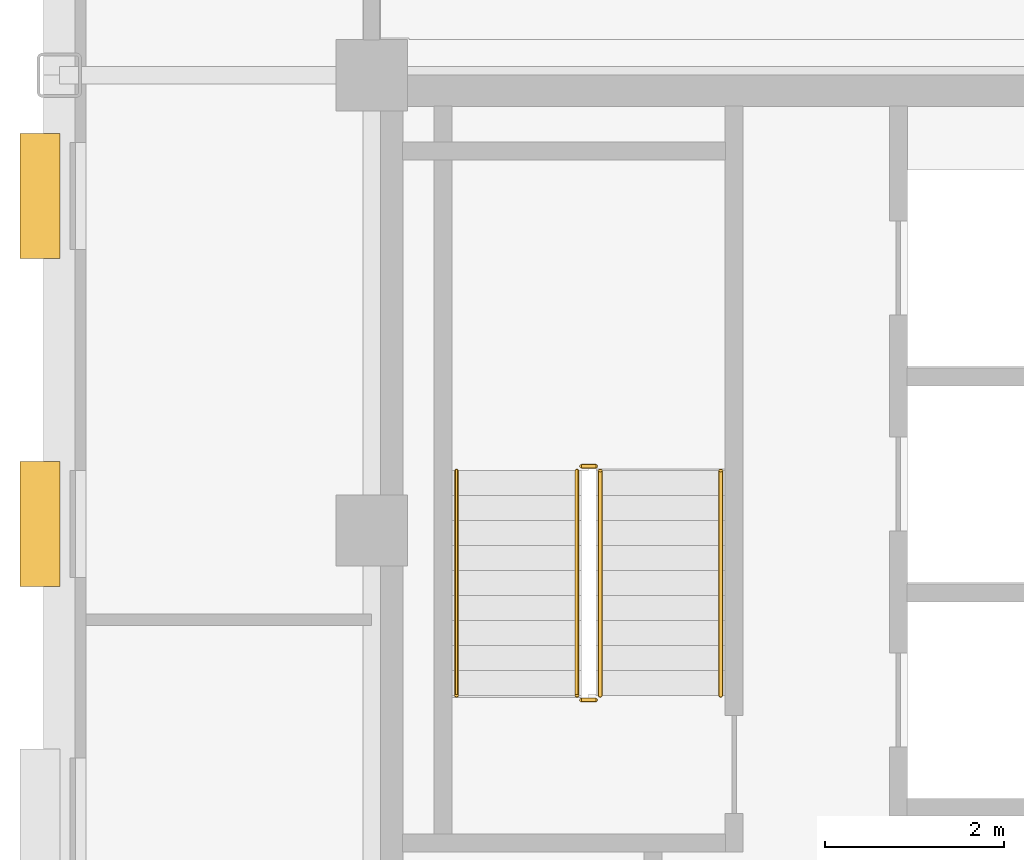
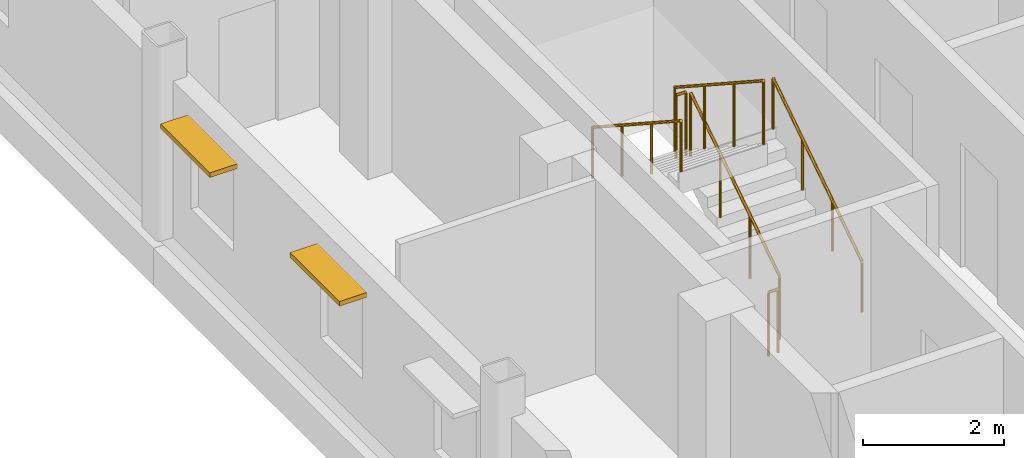
# One storey, part 11 of 13: 6 railings, 2 shading devices.
"""IFC4 building model written with IfcOpenShell, lengths in metres."""

from ifc_helpers import new_model, si_unit, direction, frame, origin, origin_2d, place, context, subcontext, project, spatial, rectangle, circle, extrude, source, transform, mapped, material, type_object, type_shapes, element, save


model = new_model("IFC4")

# Units and contexts
model_context = context("Model", 3, precision=1e-05, world=origin(), true_north=direction((0.0, 1.0)))
body_context = subcontext(model_context, "Body", "Model", "MODEL_VIEW")
ifc_project = project(units=[si_unit("LENGTHUNIT", "METRE"), si_unit("AREAUNIT", "SQUARE_METRE"), si_unit("VOLUMEUNIT", "CUBIC_METRE"), si_unit("PLANEANGLEUNIT", "RADIAN"), si_unit("MASSUNIT", "GRAM", prefix="KILO")], contexts=[model_context])

# Site, building, storey
site_placement = place(None, origin())
site = spatial("IfcSite", under=ifc_project, at=site_placement, CompositionType="ELEMENT")
building_placement = place(site_placement, origin())
building = spatial("IfcBuilding", under=site, at=building_placement, Name="Nuvemarco Arch Tower", CompositionType="ELEMENT")
storey_placement = place(building_placement, frame((0.0, 0.0, 261.60009765625)))
storey = spatial("IfcBuildingStorey", under=building, at=storey_placement, Name="L69", CompositionType="ELEMENT", Elevation=261.60009765625)

# Railings
ifc_material_1 = material(Name="Brushed stainless steel handrail", Category="steel")
railing_type_1 = type_object("IfcRailingType", Name="RL-HANDRAIL-900", PredefinedType="HANDRAIL", material=ifc_material_1)
railing_1_placement = place(storey_placement, frame((-13.590087890625, 2.64990234375, 0.182373046875)))
element("IfcRailing", 1, at=railing_1_placement, inside=storey, type_object=railing_type_1, Name="L69 ST-1 stair handrail 1", PredefinedType="HANDRAIL", context=body_context, shape_type="SweptSolid", body=[
    extrude(circle(Radius=0.02392578125, at=origin_2d()), frame((0.0, 0.0, 0.8759765625), z_axis=(0.0, 0.837749427056, 0.546054848405), x_axis=(-1.0, 0.0, 0.0)), (0.0, 0.0, 1.0), 3.008056640625),
    extrude(circle(Radius=0.02099609375, at=origin_2d()), origin(), (0.0, 0.0, 1.0), 0.851806640625),
    extrude(circle(Radius=0.02099609375, at=origin_2d()), frame((0.0, 0.840087890625, 0.547607421875)), (0.0, 0.0, 1.0), 0.851806640625),
    extrude(circle(Radius=0.02099609375, at=origin_2d()), frame((0.0, 1.679931640625, 1.094970703125)), (0.0, 0.0, 1.0), 0.851806640625),
    extrude(circle(Radius=0.02099609375, at=origin_2d()), frame((0.0, 2.52001953125, 1.642578125)), (0.0, 0.0, 1.0), 0.851806640625),
])
railing_2_placement = place(storey_placement, frame((-16.550048828125, 5.169921875, 2.00732421875)))
element("IfcRailing", 2, at=railing_2_placement, inside=storey, type_object=railing_type_1, Name="L69 ST-1 stair handrail 2", PredefinedType="HANDRAIL", context=body_context, shape_type="SweptSolid", body=[
    extrude(circle(Radius=0.02392578125, at=origin_2d()), frame((0.0, 0.0, 0.8759765625), z_axis=(0.0, -0.837749427056, 0.546054848405), x_axis=(1.0, 0.0, 0.0)), (0.0, 0.0, 1.0), 3.008056640625),
    extrude(circle(Radius=0.02099609375, at=origin_2d()), origin(), (0.0, 0.0, 1.0), 0.851806640625),
    extrude(circle(Radius=0.02099609375, at=origin_2d()), frame((0.0, -0.840087890625, 0.547607421875)), (0.0, 0.0, 1.0), 0.851806640625),
    extrude(circle(Radius=0.02099609375, at=origin_2d()), frame((0.0, -1.679931640625, 1.094970703125)), (0.0, 0.0, 1.0), 0.851806640625),
    extrude(circle(Radius=0.02099609375, at=origin_2d()), frame((0.0, -2.52001953125, 1.642578125)), (0.0, 0.0, 1.0), 0.851806640625),
])
ifc_material_2 = material(Name="Painted balustrade steel S355", Category="steel")
railing_type_2 = type_object("IfcRailingType", Name="RL-STAIR-GUARD", PredefinedType="GUARDRAIL", material=ifc_material_2)
railing_3_placement = place(storey_placement, frame((-14.93994140625, 2.64990234375, 0.182373046875)))
element("IfcRailing", 3, at=railing_3_placement, inside=storey, type_object=railing_type_2, Name="L69 ST-1 stair guard 1", PredefinedType="GUARDRAIL", context=body_context, shape_type="SweptSolid", body=[
    extrude(circle(Radius=0.02392578125, at=origin_2d()), frame((0.0, 0.0, 1.09619140625), z_axis=(0.0, 0.837749427056, 0.546054848405), x_axis=(-1.0, 0.0, 0.0)), (0.0, 0.0, 1.0), 3.008056640625),
    extrude(circle(Radius=0.02099609375, at=origin_2d()), origin(), (0.0, 0.0, 1.0), 1.072021484375),
    extrude(circle(Radius=0.02099609375, at=origin_2d()), frame((0.0, 0.840087890625, 0.547607421875)), (0.0, 0.0, 1.0), 1.072021484375),
    extrude(circle(Radius=0.02099609375, at=origin_2d()), frame((0.0, 1.679931640625, 1.094970703125)), (0.0, 0.0, 1.0), 1.072021484375),
    extrude(circle(Radius=0.02099609375, at=origin_2d()), frame((0.0, 2.52001953125, 1.642578125)), (0.0, 0.0, 1.0), 1.072021484375),
])
railing_4_placement = place(storey_placement, frame((-14.989990234375, 5.219970703125, 1.824951171875)))
element("IfcRailing", 4, at=railing_4_placement, inside=storey, type_object=railing_type_2, Name="L69 ST-1 stair guard 2", PredefinedType="GUARDRAIL", context=body_context, shape_type="SweptSolid", body=[
    extrude(circle(Radius=0.02392578125, at=origin_2d()), frame((0.0, 0.0, 1.09619140625), z_axis=(-1.0, 0.0, 0.0), x_axis=(0.0, -1.0, 0.0)), (0.0, 0.0, 1.0), 0.159912109375),
    extrude(circle(Radius=0.02099609375, at=origin_2d()), origin(), (0.0, 0.0, 1.0), 1.072021484375),
    extrude(circle(Radius=0.02099609375, at=origin_2d()), frame((-0.159912109375, 0.0, 0.0)), (0.0, 0.0, 1.0), 1.072021484375),
])
railing_5_placement = place(storey_placement, frame((-15.199951171875, 5.169921875, 2.00732421875)))
element("IfcRailing", 5, at=railing_5_placement, inside=storey, type_object=railing_type_2, Name="L69 ST-1 stair guard 3", PredefinedType="GUARDRAIL", context=body_context, shape_type="SweptSolid", body=[
    extrude(circle(Radius=0.02392578125, at=origin_2d()), frame((0.0, 0.0, 1.09619140625), z_axis=(0.0, -0.837749427056, 0.546054848405), x_axis=(1.0, 0.0, 0.0)), (0.0, 0.0, 1.0), 3.008056640625),
    extrude(circle(Radius=0.02099609375, at=origin_2d()), origin(), (0.0, 0.0, 1.0), 1.072021484375),
    extrude(circle(Radius=0.02099609375, at=origin_2d()), frame((0.0, -0.840087890625, 0.547607421875)), (0.0, 0.0, 1.0), 1.072021484375),
    extrude(circle(Radius=0.02099609375, at=origin_2d()), frame((0.0, -1.679931640625, 1.094970703125)), (0.0, 0.0, 1.0), 1.072021484375),
    extrude(circle(Radius=0.02099609375, at=origin_2d()), frame((0.0, -2.52001953125, 1.642578125)), (0.0, 0.0, 1.0), 1.072021484375),
])
railing_6_placement = place(storey_placement, frame((-14.989990234375, 2.60009765625, 0.0)))
element("IfcRailing", 6, at=railing_6_placement, inside=storey, type_object=railing_type_2, Name="L69 ST-1 stair guard 4", PredefinedType="GUARDRAIL", context=body_context, shape_type="SweptSolid", body=[
    extrude(circle(Radius=0.02392578125, at=origin_2d()), frame((0.0, 0.0, 1.09619140625), z_axis=(-1.0, 0.0, 0.0), x_axis=(0.0, -1.0, 0.0)), (0.0, 0.0, 1.0), 0.159912109375),
    extrude(circle(Radius=0.02099609375, at=origin_2d()), origin(), (0.0, 0.0, 1.0), 1.072021484375),
    extrude(circle(Radius=0.02099609375, at=origin_2d()), frame((-0.159912109375, 0.0, 0.0)), (0.0, 0.0, 1.0), 1.072021484375),
])

# Shading devices
ifc_material_3 = material(Name="Anodised aluminium 6063-T6", Category="aluminium")
shading_device_type = type_object("IfcShadingDeviceType", Name="SHD-BRISE-NARROW", PredefinedType="USERDEFINED", material=ifc_material_3)
shared_shape = source(origin(), body_context, "Body", "SweptSolid", [
    extrude(rectangle(XDim=1.39990234375, YDim=0.449951171875, at=origin_2d()), origin(), (0.0, 0.0, 1.0), 0.080078125),
])
type_shapes(shading_device_type, [shared_shape])
for number, where, z_axis, x_axis, name in (
    (7, (-21.215087890625, 4.572509765625, 2.284912109375), (0.0, 0.0, 1.0), (0.0, 1.0, 0.0), "L69 horizontal brise-soleil sunshade"),
    (8, (-21.215087890625, 8.2451171875, 2.284912109375), (0.0, 0.0, 1.0), (0.0, 1.0, 0.0), "L69 horizontal brise-soleil sunshade"),
):
    element("IfcShadingDevice", number, at=place(storey_placement, frame(where, z_axis=z_axis, x_axis=x_axis)), inside=storey, type_object=shading_device_type, Name=name, ObjectType="SUNSHADE", PredefinedType="USERDEFINED", context=body_context, shape_type="MappedRepresentation", body=[
        mapped(shared_shape, transform((0.0, 0.0, 0.0), scale=1.0)),
    ])

save(model, "model.ifc")
